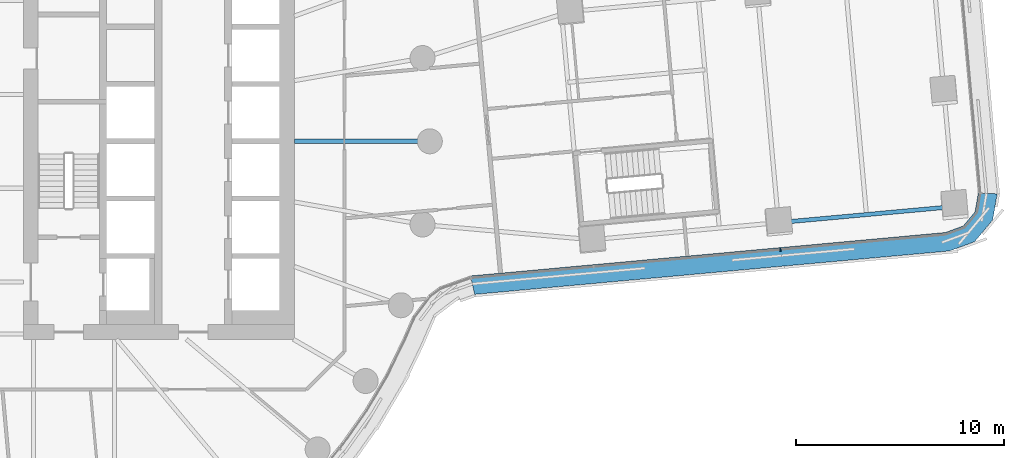
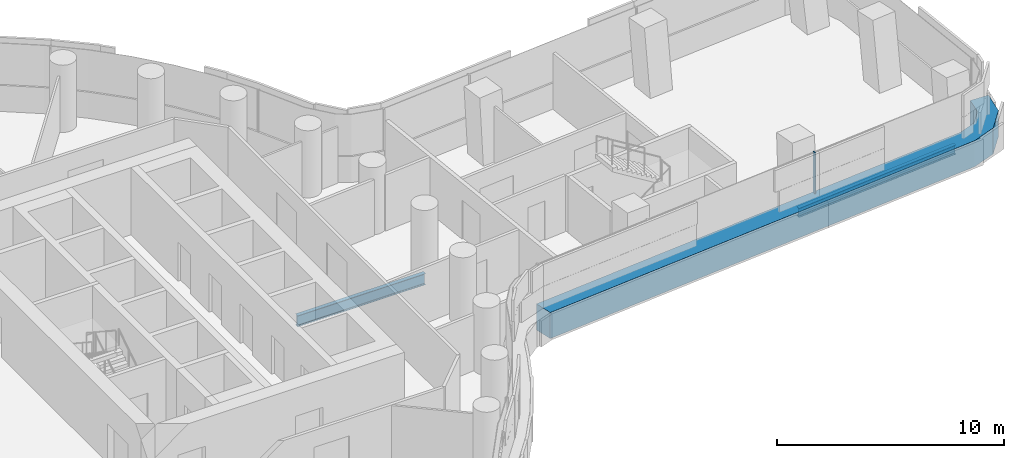
# One storey, part 10 of 31: 2 beams, 2 members, 1 element without a shape of its own.
"""IFC4 building model written with IfcOpenShell, lengths in metres."""

import ifcopenshell
import ifcopenshell.guid

model = None  # the IFC model being written
_history = None  # IfcOwnerHistory: only IFC2X3 demands one
_inside = {}  # id of a spatial element -> (the spatial element, [elements in it])
_under = {}  # id of a project, library or spatial element -> (it, [spatial elements below it])
_declared = {}  # id of a project -> (the project, [libraries it declares])
_typed = {}  # id of a type object -> (the type object, [elements of that type])
_made_of = {}  # id of a material, layer set ... -> (it, [elements and type objects made of it])


def new_model(schema):
    """Start an empty IFC model of exactly this schema.

    Asked for "IFC4X3", IfcOpenShell would pick the latest addendum, in which some entities
    have other attributes; the version numbers below select the first issue.
    IFC2X3 requires an IfcOwnerHistory on every rooted entity: one is made here for all.
    """
    global model, _history
    if schema == "IFC4X3":
        model = ifcopenshell.file(schema_version=(4, 3, 0, 0))
    else:
        model = ifcopenshell.file(schema=schema)
    _inside.clear()
    _under.clear()
    _declared.clear()
    _typed.clear()
    _made_of.clear()
    _history = None
    if model.schema == "IFC2X3":
        org = make("IfcOrganization", Name="unknown")
        user = make(
            "IfcPersonAndOrganization",
            ThePerson=make("IfcPerson", FamilyName="unknown"),
            TheOrganization=org,
        )
        app = make(
            "IfcApplication",
            ApplicationDeveloper=org,
            Version="unknown",
            ApplicationFullName="unknown",
            ApplicationIdentifier="unknown",
        )
        _history = make(
            "IfcOwnerHistory",
            OwningUser=user,
            OwningApplication=app,
            ChangeAction="ADDED",
            CreationDate=0,
        )
    return model


def make(cls, **values):
    """One entity of the class cls with the attributes given. An attribute that is None is left unset."""
    return model.create_entity(
        cls, **{name: value for name, value in values.items() if value is not None}
    )


def rooted(cls, **values):
    """An entity with a GlobalId (a new one), such as an element, a storey or a relation."""
    return make(cls, GlobalId=ifcopenshell.guid.new(), OwnerHistory=_history, **values)


def si_unit(unit_type, name, prefix=None):
    """IfcSIUnit, for example si_unit("LENGTHUNIT", "METRE", prefix="MILLI")."""
    return make("IfcSIUnit", UnitType=unit_type, Prefix=prefix, Name=name)


def assignment(units):
    """IfcUnitAssignment: the units of a project."""
    return None if units is None else make("IfcUnitAssignment", Units=units)


def point(xyz):
    """IfcCartesianPoint."""
    return None if xyz is None else make("IfcCartesianPoint", Coordinates=xyz)


def direction(xyz):
    """IfcDirection."""
    return None if xyz is None else make("IfcDirection", DirectionRatios=xyz)


def frame(location, z_axis=None, x_axis=None):
    """IfcAxis2Placement3D, a coordinate frame: its origin and axes. An axis left out is left unset."""
    return make(
        "IfcAxis2Placement3D",
        Location=point(location),
        Axis=direction(z_axis),
        RefDirection=direction(x_axis),
    )


def frame_2d(location, x_axis=None):
    """IfcAxis2Placement2D, a coordinate frame in the plane: its origin and x axis."""
    return make(
        "IfcAxis2Placement2D", Location=point(location), RefDirection=direction(x_axis)
    )


def origin():
    """The frame at (0, 0, 0) with its axes left unset."""
    return frame((0.0, 0.0, 0.0))


def origin_2d():
    """The frame at (0, 0) in the plane with its x axis left unset."""
    return frame_2d((0.0, 0.0))


def place(relative_to, where):
    """IfcLocalPlacement: puts the frame where relative to a parent placement (None: the world)."""
    return make(
        "IfcLocalPlacement", PlacementRelTo=relative_to, RelativePlacement=where
    )


def context(
    kind, dimensions, precision=None, world=None, true_north=None, identifier=None
):
    """IfcGeometricRepresentationContext, for example the 3D "Model" context."""
    return make(
        "IfcGeometricRepresentationContext",
        ContextIdentifier=identifier,
        ContextType=kind,
        CoordinateSpaceDimension=dimensions,
        Precision=precision,
        WorldCoordinateSystem=world,
        TrueNorth=true_north,
    )


def subcontext(parent, identifier, kind, view, scale=None):
    """IfcGeometricRepresentationSubContext, for example "Body" below "Model"."""
    return make(
        "IfcGeometricRepresentationSubContext",
        ContextIdentifier=identifier,
        ContextType=kind,
        ParentContext=parent,
        TargetScale=scale,
        TargetView=view,
    )


def project(units=None, contexts=None):
    """IfcProject with its units and contexts."""
    return rooted(
        "IfcProject",
        Name="project",
        RepresentationContexts=contexts,
        UnitsInContext=assignment(units),
    )


def spatial(cls, under=None, at=None, **own):
    """A site, building, storey or space (cls), placed at a placement, below another one or the project."""
    s = rooted(cls, ObjectPlacement=at, **own)
    if under is not None:
        _under.setdefault(under.id(), (under, []))[1].append(s)
    return s


def polyline(points):
    """IfcPolyline through the points."""
    return make("IfcPolyline", Points=[point(p) for p in points])


def profile(cls, at=None, kind="AREA", **sizes):
    """A parametric profile (cls). Its sizes go by their IFC names, for example OverallWidth=200.0."""
    return make(cls, ProfileType=kind, Position=at, **sizes)


def rectangle(**sizes):
    """IfcRectangleProfileDef."""
    return profile("IfcRectangleProfileDef", **sizes)


def i_section(**sizes):
    """IfcIShapeProfileDef."""
    return profile("IfcIShapeProfileDef", **sizes)


def outline(outer, holes=None, kind="AREA"):
    """IfcArbitraryClosedProfileDef: a profile drawn as a closed curve; with holes, ...WithVoids."""
    if holes is None:
        return make("IfcArbitraryClosedProfileDef", ProfileType=kind, OuterCurve=outer)
    return make(
        "IfcArbitraryProfileDefWithVoids",
        ProfileType=kind,
        OuterCurve=outer,
        InnerCurves=holes,
    )


def extrude(swept, where, along, depth):
    """IfcExtrudedAreaSolid: the profile swept, set in the frame where, extruded along a direction by depth."""
    return make(
        "IfcExtrudedAreaSolid",
        SweptArea=swept,
        Position=where,
        ExtrudedDirection=direction(along),
        Depth=depth,
    )


def shape(context_of_items, identifier, shape_type, items):
    """IfcShapeRepresentation: the items that make up one representation, for example the "Body"."""
    return make(
        "IfcShapeRepresentation",
        ContextOfItems=context_of_items,
        RepresentationIdentifier=identifier,
        RepresentationType=shape_type,
        Items=items,
    )


def material(Name=None, Category=None):
    """IfcMaterial."""
    return make("IfcMaterial", Name=Name, Category=Category)


def layer(
    of_material, thickness, ventilated=None, Name=None, Category=None, Priority=None
):
    """IfcMaterialLayer: one layer of a wall or slab, of a material (None: an air gap)."""
    return make(
        "IfcMaterialLayer",
        Material=of_material,
        LayerThickness=thickness,
        IsVentilated=ventilated,
        Name=Name,
        Category=Category,
        Priority=Priority,
    )


def layer_set(layers, Name=None):
    """IfcMaterialLayerSet."""
    return make("IfcMaterialLayerSet", MaterialLayers=layers, LayerSetName=Name)


def material_profile(
    of_material, cross_section, Name=None, Category=None, Priority=None
):
    """IfcMaterialProfile: a cross section and its material."""
    return make(
        "IfcMaterialProfile",
        Name=Name,
        Material=of_material,
        Profile=cross_section,
        Priority=Priority,
        Category=Category,
    )


def profile_set(profiles, Name=None, composite=None):
    """IfcMaterialProfileSet."""
    return make(
        "IfcMaterialProfileSet",
        Name=Name,
        MaterialProfiles=profiles,
        CompositeProfile=composite,
    )


def made_of(thing, what):
    """Note that an element or type object is made of a material, layer set ...; save() writes the relation."""
    if what is not None:
        _made_of.setdefault(what.id(), (what, []))[1].append(thing)
    return thing


def type_object(cls, material=None, **own):
    """A type object (cls), such as IfcWallType, which elements share."""
    return made_of(rooted(cls, **own), material)


def element(
    cls,
    number,
    at=None,
    inside=None,
    cuts=None,
    type_object=None,
    material=None,
    context=None,
    identifier="Body",
    shape_type=None,
    held_by="IfcProductDefinitionShape",
    body=None,
    shapes=None,
    **own,
):
    """One element of the class cls, such as IfcWall. Its Tag is "e" and its number.

    at: its placement. inside: the storey or other place that contains it. cuts: it is an
    opening in that element (IfcRelVoidsElement). A single representation is given by context,
    identifier, shape_type and body (its items); several are given by shapes. held_by: the class
    of the entity that holds the representations. save() writes the other relations.
    """
    e = rooted(cls, Tag="e%d" % number, ObjectPlacement=at, **own)
    if body is not None:
        shapes = [shape(context, identifier, shape_type, body)]
    if shapes is not None:
        e.Representation = make(held_by, Representations=shapes)
    if inside is not None:
        _inside.setdefault(inside.id(), (inside, []))[1].append(e)
    if cuts is not None:
        rooted(
            "IfcRelVoidsElement", RelatingBuildingElement=cuts, RelatedOpeningElement=e
        )
    if type_object is not None:
        _typed.setdefault(type_object.id(), (type_object, []))[1].append(e)
    return made_of(e, material)


def aggregate(whole, parts):
    """IfcRelAggregates: a whole, such as a stair, and the parts it consists of."""
    return rooted("IfcRelAggregates", RelatingObject=whole, RelatedObjects=parts)


def save(model, path):
    """Write the relations noted so far, then the file.

    IfcRelAggregates (storeys below a building ...), IfcRelContainedInSpatialStructure (elements
    in a storey), IfcRelDefinesByType, IfcRelAssociatesMaterial and IfcRelDeclares: one each for
    every whole, place, type object, material and project.
    """
    for whole, parts in _under.values():
        aggregate(whole, parts)
    for where, things in _inside.values():
        rooted(
            "IfcRelContainedInSpatialStructure",
            RelatedElements=things,
            RelatingStructure=where,
        )
    for kind, things in _typed.values():
        rooted("IfcRelDefinesByType", RelatedObjects=things, RelatingType=kind)
    for what, things in _made_of.values():
        rooted("IfcRelAssociatesMaterial", RelatedObjects=things, RelatingMaterial=what)
    for by, libraries in _declared.values():
        rooted("IfcRelDeclares", RelatingContext=by, RelatedDefinitions=libraries)
    model.write(path)


model = new_model("IFC4")

# Units and contexts
model_context = context("Model", 3, precision=1e-05, world=origin(), true_north=direction((0.0, 1.0)))
body_context = subcontext(model_context, "Body", "Model", "MODEL_VIEW")
ifc_project = project(units=[si_unit("LENGTHUNIT", "METRE"), si_unit("AREAUNIT", "SQUARE_METRE"), si_unit("VOLUMEUNIT", "CUBIC_METRE"), si_unit("PLANEANGLEUNIT", "RADIAN"), si_unit("MASSUNIT", "GRAM", prefix="KILO")], contexts=[model_context])

# Site, building, storey
site_placement = place(None, origin())
site = spatial("IfcSite", under=ifc_project, at=site_placement, CompositionType="ELEMENT")
building_placement = place(site_placement, origin())
building = spatial("IfcBuilding", under=site, at=building_placement, Name="Tamarind Cross Interchange Tower", CompositionType="ELEMENT")
storey_placement = place(building_placement, frame((0.0, 0.0, 52.75)))
storey = spatial("IfcBuildingStorey", under=building, at=storey_placement, Name="L11", CompositionType="ELEMENT", Elevation=52.75)

# Beams
ifc_material_1 = material(Name="Steel Q355B", Category="steel")
ifc_material_profile_1 = material_profile(ifc_material_1, i_section(OverallWidth=0.198974609375, OverallDepth=0.49609375, WebThickness=0.009033203125, FlangeThickness=0.013916015625, FilletRadius=0.012939453125, at=origin_2d()), Name="HN 496x199x9x14")
ifc_profile_set_1 = profile_set([ifc_material_profile_1], Name="Steel Q355B")
beam_type_1 = type_object("IfcBeamType", Name="Composite beam HN 496x199x9x14 Q355B", PredefinedType="BEAM", material=ifc_profile_set_1)
beam_1_placement = place(storey_placement, frame((48.16796875, -3.13037109375, -0.387939453125), z_axis=(-0.995844653941, -0.091068244839, 0.0), x_axis=(0.091068244839, -0.995844653941, 0.0)))
element("IfcBeam", 1, at=beam_1_placement, inside=storey, type_object=beam_type_1, Name="Beam E-edgeem5", PredefinedType="BEAM", context=body_context, shape_type="SweptSolid", body=[
    extrude(i_section(OverallWidth=0.198974609375, OverallDepth=0.49609375, WebThickness=0.009033203125, FlangeThickness=0.013916015625, FilletRadius=0.012939453125, at=origin_2d()), origin(), (0.0, 0.0, 1.0), 8.47412109375),
])
ifc_material_profile_2 = material_profile(ifc_material_1, i_section(OverallWidth=0.198974609375, OverallDepth=0.595947265625, WebThickness=0.010009765625, FlangeThickness=0.014892578125, FilletRadius=0.012939453125, at=origin_2d()), Name="HN 596x199x10x15")
ifc_profile_set_2 = profile_set([ifc_material_profile_2], Name="Steel Q355B")
beam_type_2 = type_object("IfcBeamType", Name="Composite beam HN 596x199x10x15 Q355B", PredefinedType="BEAM", material=ifc_profile_set_2)
beam_2_placement = place(storey_placement, frame((23.0, 0.0, -0.43798828125), z_axis=(-1.0, 0.0, 0.0), x_axis=(0.0, -1.0, 0.0)))
element("IfcBeam", 2, at=beam_2_placement, inside=storey, type_object=beam_type_2, Name="Beam HH00", PredefinedType="BEAM", context=body_context, shape_type="SweptSolid", body=[
    extrude(i_section(OverallWidth=0.198974609375, OverallDepth=0.595947265625, WebThickness=0.010009765625, FlangeThickness=0.014892578125, FilletRadius=0.012939453125, at=origin_2d()), origin(), (0.0, 0.0, 1.0), 6.5),
])

# Curtain wall, members
ifc_material_2 = material(Name="Aluminium 6063-T6", Category="aluminium")
ifc_layer = layer(ifc_material_2, 0.159912109375)
ifc_layer_set = layer_set([ifc_layer], Name="Aluminium 6063-T6")
curtain_wall_type = type_object("IfcCurtainWallType", Name="Office curtain wall, 9.0 m bays", PredefinedType="NOTDEFINED", material=ifc_layer_set)
curtain_wall_placement = place(storey_placement, origin())
curtain_wall = element("IfcCurtainWall", 3, at=curtain_wall_placement, inside=storey, type_object=curtain_wall_type, Name="CWS-L11-11", PredefinedType="NOTDEFINED")
ifc_material_3 = material(Name="Aluminium and insulated spandrel panel", Category="aluminium")
member_type_1 = type_object("IfcMemberType", Name="Floor-edge blade transom", PredefinedType="USERDEFINED", material=ifc_material_3)
member_1_placement = place(storey_placement, origin())
member_1 = element("IfcMember", 4, at=member_1_placement, type_object=member_type_1, Name="CWT-L11-11", ObjectType="TRANSOM", PredefinedType="USERDEFINED", context=body_context, shape_type="SweptSolid", body=[
    extrude(outline(polyline([(24.954833984375, -6.457763671875), (47.73974609375, -4.37451171875), (48.598876953125, -4.05810546875), (49.158203125, -3.385986328125), (49.313720703125, -2.48388671875), (50.220703125, -2.52001953125), (50.00439453125, -3.7763671875), (49.13623046875, -4.8193359375), (47.939697265625, -5.260009765625), (25.150146484375, -7.34375), (24.954833984375, -6.457763671875)])), origin(), (0.0, 0.0, 1.0), 1.39990234375),
])
ifc_material_profile_3 = material_profile(ifc_material_2, rectangle(XDim=0.06005859375, YDim=0.159912109375, at=origin_2d()), Name="Mullion CW1")
ifc_profile_set_3 = profile_set([ifc_material_profile_3], Name="Aluminium 6063-T6")
member_type_2 = type_object("IfcMemberType", Name="Mullion CW1", PredefinedType="MULLION", material=ifc_profile_set_3)
member_2_placement = place(storey_placement, frame((39.8212890625, -5.198974609375, 1.39990234375), z_axis=(0.0, 0.0, 1.0), x_axis=(0.995846347162, 0.091049727316, 0.0)))
member_2 = element("IfcMember", 5, at=member_2_placement, type_object=member_type_2, Name="CWM-L11-11-02", PredefinedType="MULLION", context=body_context, shape_type="SweptSolid", body=[
    extrude(rectangle(XDim=0.06005859375, YDim=0.159912109375, at=origin_2d()), origin(), (0.0, 0.0, 1.0), 2.210205078125),
])
aggregate(curtain_wall, [member_2, member_1])

save(model, "model.ifc")
